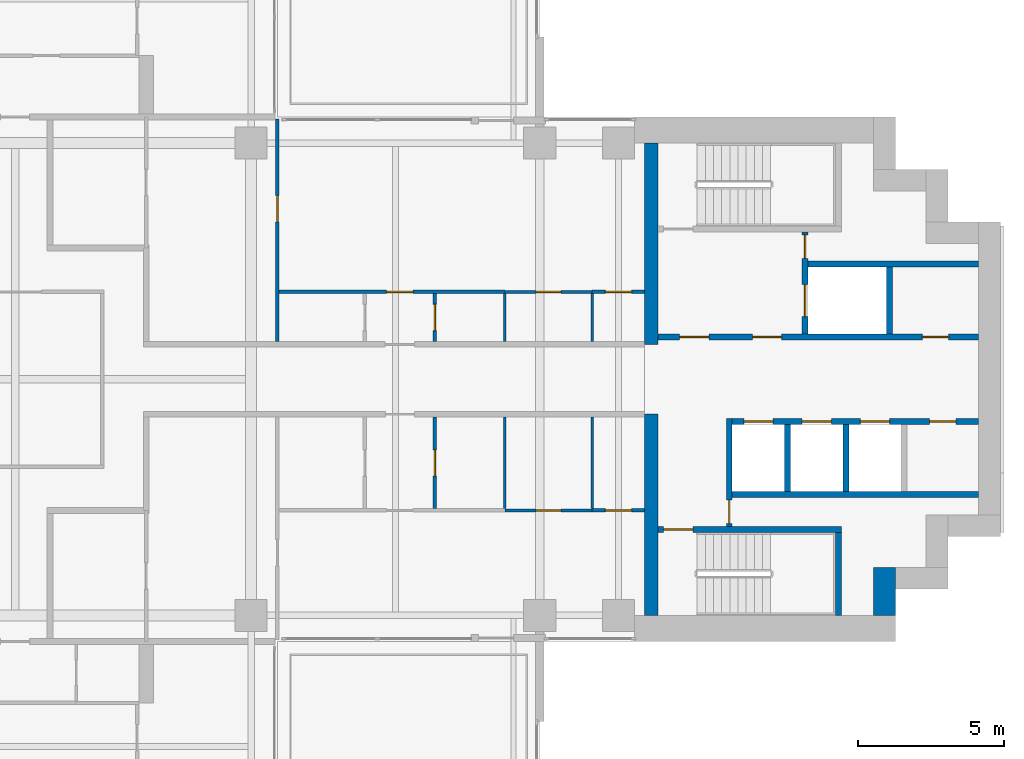
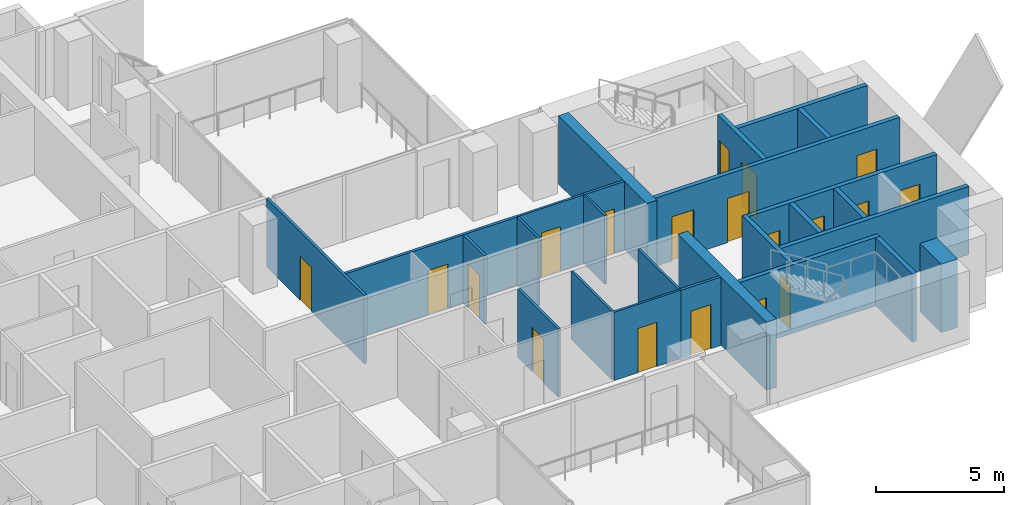
# One storey, part 12 of 18: 26 walls, 19 doors, 19 openings.
"""IFC4 building model written with IfcOpenShell, lengths in metres."""

from ifc_helpers import new_model, si_unit, direction, frame, frame_2d, origin, place, context, subcontext, project, spatial, rectangle, extrude, material, layer, layer_set, type_object, element, fill, save


model = new_model("IFC4")

# Units and contexts
model_context = context("Model", 3, precision=1e-05, world=origin(), true_north=direction((0.0, 1.0)))
body_context = subcontext(model_context, "Body", "Model", "MODEL_VIEW")
ifc_project = project(units=[si_unit("LENGTHUNIT", "METRE"), si_unit("AREAUNIT", "SQUARE_METRE"), si_unit("VOLUMEUNIT", "CUBIC_METRE"), si_unit("PLANEANGLEUNIT", "RADIAN"), si_unit("MASSUNIT", "GRAM", prefix="KILO")], contexts=[model_context])

# Site, building, storey
site_placement = place(None, origin())
site = spatial("IfcSite", under=ifc_project, at=site_placement, CompositionType="ELEMENT")
building_placement = place(site_placement, origin())
building = spatial("IfcBuilding", under=site, at=building_placement, Name="Perihelion Cross Residences", CompositionType="ELEMENT")
storey_placement = place(building_placement, frame((0.0, 0.0, 140.89990234375)))
storey = spatial("IfcBuildingStorey", under=building, at=storey_placement, Name="L34", CompositionType="ELEMENT", Elevation=140.89990234375)

# Walls
ifc_material_1 = material(Name="Concrete C60/75", Category="concrete")
ifc_layer_1 = layer(ifc_material_1, 0.449951171875)
ifc_layer_set_1 = layer_set([ifc_layer_1], Name="Core wall, inner 450")
wall_type_1 = type_object("IfcWallType", Name="Core wall, inner 450", PredefinedType="SHEAR", material=ifc_layer_set_1)
for number, where, z_axis, x_axis, name in (
    (1, (21.824951171875, -8.10009765625, 0.0), (0.0, 0.0, 1.0), (0.0, 1.0, 0.0), "East core core wall, inner"),
    (2, (21.824951171875, 1.199951171875, 0.0), (0.0, 0.0, 1.0), (0.0, 1.0, 0.0), "East core core wall, inner"),
):
    element("IfcWall", number, at=place(storey_placement, frame(where, z_axis=z_axis, x_axis=x_axis)), inside=storey, type_object=wall_type_1, Name=name, PredefinedType="SHEAR", context=body_context, shape_type="SweptSolid", body=[
        extrude(rectangle(XDim=6.900146484375, YDim=0.449951171875, at=frame_2d((3.4501953125, 0.0))), origin(), (0.0, 0.0, 1.0), 3.25),
    ])
ifc_material_2 = material(Name="Concrete C60/75", Category="concrete")
ifc_layer_2 = layer(ifc_material_2, 0.75)
ifc_layer_set_2 = layer_set([ifc_layer_2], Name="Core wall, outer 750")
wall_type_2 = type_object("IfcWallType", Name="Core wall, outer 750", PredefinedType="SHEAR", material=ifc_layer_set_2)
wall_1_placement = place(storey_placement, frame((29.824951171875, -8.10009765625, 0.0), z_axis=(0.0, 0.0, 1.0), x_axis=(0.0, 1.0, 0.0)))
element("IfcWall", 3, at=wall_1_placement, inside=storey, type_object=wall_type_2, Name="East core core wall, outer", PredefinedType="SHEAR", context=body_context, shape_type="SweptSolid", body=[
    extrude(rectangle(XDim=1.650146484375, YDim=0.75, at=frame_2d((0.8251953125, 0.0))), origin(), (0.0, 0.0, 1.0), 3.25),
])

# Wall, opening, door
ifc_material_3 = material(Name="Concrete C50/60", Category="concrete")
ifc_layer_3 = layer(ifc_material_3, 0.199951171875)
ifc_layer_set_3 = layer_set([ifc_layer_3], Name="Lobby wall 200")
wall_type_3 = type_object("IfcWallType", Name="Lobby wall 200", PredefinedType="SOLIDWALL", material=ifc_layer_set_3)
wall_2_placement = place(storey_placement, frame((24.5, -5.050048828125, 0.0), z_axis=(0.0, 0.0, 1.0), x_axis=(0.0, 1.0, 0.0)))
wall_2 = element("IfcWall", 4, at=wall_2_placement, inside=storey, type_object=wall_type_3, Name="East core lobby wall", PredefinedType="SOLIDWALL", context=body_context, shape_type="SweptSolid", body=[
    extrude(rectangle(XDim=3.699951171875, YDim=0.199951171875, at=frame_2d((1.85009765625, 0.0))), origin(), (0.0, 0.0, 1.0), 3.25),
])
opening_1_placement = place(wall_2_placement, frame((0.10009765625, 0.0, 0.0)))
opening_1 = element("IfcOpeningElement", 5, at=opening_1_placement, cuts=wall_2, Name="Opening L34.C08", PredefinedType="OPENING", context=body_context, shape_type="SweptSolid", body=[
    extrude(rectangle(XDim=0.800048828125, YDim=2.10009765625, at=frame_2d((0.39990234375, 1.050048828125))), frame((0.0, 0.10986328125, 0.0), z_axis=(0.0, -1.0, 0.0), x_axis=(1.0, 0.0, 0.0)), (0.0, 0.0, 1.0), 0.219970703125),
])
ifc_material_4 = material(Name="Steel, powder coated", Category="steel")
door_type_1 = type_object("IfcDoorType", Name="Riser door 800", OperationType="SINGLE_SWING_LEFT", PredefinedType="DOOR", material=ifc_material_4)
door_1_placement = place(opening_1_placement, origin())
door_1 = element("IfcDoor", 6, at=door_1_placement, inside=storey, type_object=door_type_1, Name="East core riser door", OperationType="SINGLE_SWING_LEFT", OverallHeight=2.10009765625, OverallWidth=0.800048828125, PredefinedType="DOOR", context=body_context, shape_type="SweptSolid", body=[
    extrude(rectangle(XDim=0.800048828125, YDim=2.10009765625, at=frame_2d((0.39990234375, 1.050048828125))), frame((0.0, 0.02490234375, 0.0), z_axis=(0.0, -1.0, 0.0), x_axis=(1.0, 0.0, 0.0)), (0.0, 0.0, 1.0), 0.050048828125),
])
fill(opening_1, door_1)

ifc_material_5 = material(Name="Plasterboard partition")
ifc_layer_4 = layer(ifc_material_5, 0.1201171875)
ifc_layer_set_4 = layer_set([ifc_layer_4], Name="Partition wall 120")
wall_type_4 = type_object("IfcWallType", Name="Partition wall 120", PredefinedType="PARTITIONING", material=ifc_layer_set_4)
wall_3_placement = place(storey_placement, frame((8.93994140625, 3.0, 0.0), z_axis=(0.0, 0.0, 1.0), x_axis=(1.0, 0.0, 0.0)))
wall_3 = element("IfcWall", 7, at=wall_3_placement, inside=storey, type_object=wall_type_4, Name="Partition L34 W024", PredefinedType="PARTITIONING", context=body_context, shape_type="SweptSolid", body=[
    extrude(rectangle(XDim=7.860107421875, YDim=0.1201171875, at=frame_2d((3.93017578125, 0.0))), origin(), (0.0, 0.0, 1.0), 3.25),
])
opening_2_placement = place(wall_3_placement, frame((3.81005859375, 0.0, 0.0)))
opening_2 = element("IfcOpeningElement", 8, at=opening_2_placement, cuts=wall_3, Name="Opening L34.A06", PredefinedType="OPENING", context=body_context, shape_type="SweptSolid", body=[
    extrude(rectangle(XDim=0.89990234375, YDim=2.10009765625, at=frame_2d((0.449951171875, 1.050048828125))), frame((0.0, 0.070068359375, 0.0), z_axis=(0.0, -1.0, 0.0), x_axis=(1.0, 0.0, 0.0)), (0.0, 0.0, 1.0), 0.14013671875),
])
ifc_material_6 = material(Name="Timber door leaf", Category="wood")
door_type_2 = type_object("IfcDoorType", Name="Interior room door 900 x 2100", OperationType="SINGLE_SWING_LEFT", PredefinedType="DOOR", material=ifc_material_6)
door_2_placement = place(opening_2_placement, origin())
door_2 = element("IfcDoor", 9, at=door_2_placement, inside=storey, type_object=door_type_2, Name="Door L34.A06", OperationType="SINGLE_SWING_LEFT", OverallHeight=2.10009765625, OverallWidth=0.89990234375, PredefinedType="DOOR", context=body_context, shape_type="SweptSolid", body=[
    extrude(rectangle(XDim=0.89990234375, YDim=2.10009765625, at=frame_2d((0.449951171875, 1.050048828125))), frame((0.0, 0.02490234375, 0.0), z_axis=(0.0, -1.0, 0.0), x_axis=(1.0, 0.0, 0.0)), (0.0, 0.0, 1.0), 0.050048828125),
])
fill(opening_2, door_2)

wall_4_placement = place(storey_placement, frame((9.0, 1.300048828125, 0.0), z_axis=(0.0, 0.0, 1.0), x_axis=(0.0, 1.0, 0.0)))
wall_4 = element("IfcWall", 10, at=wall_4_placement, inside=storey, type_object=wall_type_4, Name="Partition L34 W025", PredefinedType="PARTITIONING", context=body_context, shape_type="SweptSolid", body=[
    extrude(rectangle(XDim=7.619873046875, YDim=0.1201171875, at=frame_2d((3.81005859375, 0.0))), origin(), (0.0, 0.0, 1.0), 3.25),
])
opening_3_placement = place(wall_4_placement, frame((4.10009765625, 0.0, 0.0)))
opening_3 = element("IfcOpeningElement", 11, at=opening_3_placement, cuts=wall_4, Name="Opening L34.A07", PredefinedType="OPENING", context=body_context, shape_type="SweptSolid", body=[
    extrude(rectangle(XDim=0.89990234375, YDim=2.10009765625, at=frame_2d((0.449951171875, 1.050048828125))), frame((0.0, 0.070068359375, 0.0), z_axis=(0.0, -1.0, 0.0), x_axis=(1.0, 0.0, 0.0)), (0.0, 0.0, 1.0), 0.14013671875),
])
door_3_placement = place(opening_3_placement, origin())
door_3 = element("IfcDoor", 12, at=door_3_placement, inside=storey, type_object=door_type_2, Name="Door L34.A07", OperationType="SINGLE_SWING_LEFT", OverallHeight=2.10009765625, OverallWidth=0.89990234375, PredefinedType="DOOR", context=body_context, shape_type="SweptSolid", body=[
    extrude(rectangle(XDim=0.89990234375, YDim=2.10009765625, at=frame_2d((0.449951171875, 1.050048828125))), frame((0.0, 0.02490234375, 0.0), z_axis=(0.0, -1.0, 0.0), x_axis=(1.0, 0.0, 0.0)), (0.0, 0.0, 1.0), 0.050048828125),
])
fill(opening_3, door_3)

wall_5_placement = place(storey_placement, frame((14.39990234375, 2.93994140625, 0.0), z_axis=(0.0, 0.0, 1.0), x_axis=(0.0, -1.0, 0.0)))
wall_5 = element("IfcWall", 13, at=wall_5_placement, inside=storey, type_object=wall_type_4, Name="Partition L34 W026", PredefinedType="PARTITIONING", context=body_context, shape_type="SweptSolid", body=[
    extrude(rectangle(XDim=1.639892578125, YDim=0.1201171875, at=frame_2d((0.81982421875, 0.0))), origin(), (0.0, 0.0, 1.0), 3.25),
])
opening_4_placement = place(wall_5_placement, frame((0.3701171875, 0.0, 0.0)))
opening_4 = element("IfcOpeningElement", 14, at=opening_4_placement, cuts=wall_5, Name="Opening L34.A08", PredefinedType="OPENING", context=body_context, shape_type="SweptSolid", body=[
    extrude(rectangle(XDim=0.89990234375, YDim=2.10009765625, at=frame_2d((0.449951171875, 1.050048828125))), frame((0.0, 0.070068359375, 0.0), z_axis=(0.0, -1.0, 0.0), x_axis=(1.0, 0.0, 0.0)), (0.0, 0.0, 1.0), 0.14013671875),
])
door_4_placement = place(opening_4_placement, origin())
door_4 = element("IfcDoor", 15, at=door_4_placement, inside=storey, type_object=door_type_2, Name="Door L34.A08", OperationType="SINGLE_SWING_RIGHT", OverallHeight=2.10009765625, OverallWidth=0.89990234375, PredefinedType="DOOR", context=body_context, shape_type="SweptSolid", body=[
    extrude(rectangle(XDim=0.89990234375, YDim=2.10009765625, at=frame_2d((0.449951171875, 1.050048828125))), frame((0.0, 0.02490234375, 0.0), z_axis=(0.0, -1.0, 0.0), x_axis=(1.0, 0.0, 0.0)), (0.0, 0.0, 1.0), 0.050048828125),
])
fill(opening_4, door_4)

wall_6_placement = place(storey_placement, frame((19.800048828125, 3.0, 0.0), z_axis=(0.0, 0.0, 1.0), x_axis=(1.0, 0.0, 0.0)))
wall_6 = element("IfcWall", 16, at=wall_6_placement, inside=storey, type_object=wall_type_4, Name="Partition L34 W030", PredefinedType="PARTITIONING", context=body_context, shape_type="SweptSolid", body=[
    extrude(rectangle(XDim=1.800048828125, YDim=0.1201171875, at=frame_2d((0.89990234375, 0.0))), origin(), (0.0, 0.0, 1.0), 3.25),
])
opening_5_placement = place(wall_6_placement, frame((0.449951171875, 0.0, 0.0)))
opening_5 = element("IfcOpeningElement", 17, at=opening_5_placement, cuts=wall_6, Name="Opening L34.A05", PredefinedType="OPENING", context=body_context, shape_type="SweptSolid", body=[
    extrude(rectangle(XDim=0.89990234375, YDim=2.10009765625, at=frame_2d((0.449951171875, 1.050048828125))), frame((0.0, 0.070068359375, 0.0), z_axis=(0.0, -1.0, 0.0), x_axis=(1.0, 0.0, 0.0)), (0.0, 0.0, 1.0), 0.14013671875),
])
door_5_placement = place(opening_5_placement, origin())
door_5 = element("IfcDoor", 18, at=door_5_placement, inside=storey, type_object=door_type_2, Name="Door L34.A05", OperationType="SINGLE_SWING_RIGHT", OverallHeight=2.10009765625, OverallWidth=0.89990234375, PredefinedType="DOOR", context=body_context, shape_type="SweptSolid", body=[
    extrude(rectangle(XDim=0.89990234375, YDim=2.10009765625, at=frame_2d((0.449951171875, 1.050048828125))), frame((0.0, 0.02490234375, 0.0), z_axis=(0.0, -1.0, 0.0), x_axis=(1.0, 0.0, 0.0)), (0.0, 0.0, 1.0), 0.050048828125),
])
fill(opening_5, door_5)

wall_7_placement = place(storey_placement, frame((14.39990234375, -1.300048828125, 0.0), z_axis=(0.0, 0.0, 1.0), x_axis=(0.0, -1.0, 0.0)))
wall_7 = element("IfcWall", 19, at=wall_7_placement, inside=storey, type_object=wall_type_4, Name="Partition L34 W035", PredefinedType="PARTITIONING", context=body_context, shape_type="SweptSolid", body=[
    extrude(rectangle(XDim=3.139892578125, YDim=0.1201171875, at=frame_2d((1.56982421875, 0.0))), origin(), (0.0, 0.0, 1.0), 3.25),
])
opening_6_placement = place(wall_7_placement, frame((1.1201171875, 0.0, 0.0)))
opening_6 = element("IfcOpeningElement", 20, at=opening_6_placement, cuts=wall_7, Name="Opening L34.A15", PredefinedType="OPENING", context=body_context, shape_type="SweptSolid", body=[
    extrude(rectangle(XDim=0.89990234375, YDim=2.10009765625, at=frame_2d((0.449951171875, 1.050048828125))), frame((0.0, 0.070068359375, 0.0), z_axis=(0.0, -1.0, 0.0), x_axis=(1.0, 0.0, 0.0)), (0.0, 0.0, 1.0), 0.14013671875),
])
door_6_placement = place(opening_6_placement, origin())
door_6 = element("IfcDoor", 21, at=door_6_placement, inside=storey, type_object=door_type_2, Name="Door L34.A15", OperationType="SINGLE_SWING_LEFT", OverallHeight=2.10009765625, OverallWidth=0.89990234375, PredefinedType="DOOR", context=body_context, shape_type="SweptSolid", body=[
    extrude(rectangle(XDim=0.89990234375, YDim=2.10009765625, at=frame_2d((0.449951171875, 1.050048828125))), frame((0.0, 0.02490234375, 0.0), z_axis=(0.0, -1.0, 0.0), x_axis=(1.0, 0.0, 0.0)), (0.0, 0.0, 1.0), 0.050048828125),
])
fill(opening_6, door_6)

wall_8_placement = place(storey_placement, frame((21.60009765625, -4.5, 0.0), z_axis=(0.0, 0.0, 1.0), x_axis=(-1.0, 0.0, 0.0)))
wall_8 = element("IfcWall", 22, at=wall_8_placement, inside=storey, type_object=wall_type_4, Name="Partition L34 W039", PredefinedType="PARTITIONING", context=body_context, shape_type="SweptSolid", body=[
    extrude(rectangle(XDim=1.800048828125, YDim=0.1201171875, at=frame_2d((0.89990234375, 0.0))), origin(), (0.0, 0.0, 1.0), 3.25),
])
opening_7_placement = place(wall_8_placement, frame((0.449951171875, 0.0, 0.0)))
opening_7 = element("IfcOpeningElement", 23, at=opening_7_placement, cuts=wall_8, Name="Opening L34.A12", PredefinedType="OPENING", context=body_context, shape_type="SweptSolid", body=[
    extrude(rectangle(XDim=0.89990234375, YDim=2.10009765625, at=frame_2d((0.449951171875, 1.050048828125))), frame((0.0, 0.070068359375, 0.0), z_axis=(0.0, -1.0, 0.0), x_axis=(1.0, 0.0, 0.0)), (0.0, 0.0, 1.0), 0.14013671875),
])
door_7_placement = place(opening_7_placement, origin())
door_7 = element("IfcDoor", 24, at=door_7_placement, inside=storey, type_object=door_type_2, Name="Door L34.A12", OperationType="SINGLE_SWING_RIGHT", OverallHeight=2.10009765625, OverallWidth=0.89990234375, PredefinedType="DOOR", context=body_context, shape_type="SweptSolid", body=[
    extrude(rectangle(XDim=0.89990234375, YDim=2.10009765625, at=frame_2d((0.449951171875, 1.050048828125))), frame((0.0, 0.02490234375, 0.0), z_axis=(0.0, -1.0, 0.0), x_axis=(1.0, 0.0, 0.0)), (0.0, 0.0, 1.0), 0.050048828125),
])
fill(opening_7, door_7)

# Wall, openings, doors
ifc_material_7 = material(Name="Concrete C50/60", Category="concrete")
ifc_layer_5 = layer(ifc_material_7, 0.199951171875)
ifc_layer_set_5 = layer_set([ifc_layer_5], Name="Shaft wall 200")
wall_type_5 = type_object("IfcWallType", Name="Shaft wall 200", PredefinedType="SOLIDWALL", material=ifc_layer_set_5)
wall_9_placement = place(storey_placement, frame((22.050048828125, 1.449951171875, 0.0), z_axis=(0.0, 0.0, 1.0), x_axis=(1.0, 0.0, 0.0)))
wall_9 = element("IfcWall", 25, at=wall_9_placement, inside=storey, type_object=wall_type_5, Name="East core shaft wall", PredefinedType="SOLIDWALL", context=body_context, shape_type="SweptSolid", body=[
    extrude(rectangle(XDim=11.0, YDim=0.199951171875, at=frame_2d((5.5, 0.0))), origin(), (0.0, 0.0, 1.0), 3.25),
])
opening_8_placement = place(wall_9_placement, frame((0.75, 0.0, 0.0)))
opening_8 = element("IfcOpeningElement", 26, at=opening_8_placement, cuts=wall_9, Name="Opening L34.C07", PredefinedType="OPENING", context=body_context, shape_type="SweptSolid", body=[
    extrude(rectangle(XDim=1.0, YDim=2.10009765625, at=frame_2d((0.5, 1.050048828125))), frame((0.0, 0.10986328125, 0.0), z_axis=(0.0, -1.0, 0.0), x_axis=(1.0, 0.0, 0.0)), (0.0, 0.0, 1.0), 0.219970703125),
])
opening_9_placement = place(wall_9_placement, frame((3.25, 0.0, 0.0)))
opening_9 = element("IfcOpeningElement", 27, at=opening_9_placement, cuts=wall_9, Name="Opening L34.C09", PredefinedType="OPENING", context=body_context, shape_type="SweptSolid", body=[
    extrude(rectangle(XDim=1.0, YDim=2.10009765625, at=frame_2d((0.5, 1.050048828125))), frame((0.0, 0.10986328125, 0.0), z_axis=(0.0, -1.0, 0.0), x_axis=(1.0, 0.0, 0.0)), (0.0, 0.0, 1.0), 0.219970703125),
])
opening_10_placement = place(wall_9_placement, frame((9.074951171875, 0.0, 0.0)))
opening_10 = element("IfcOpeningElement", 28, at=opening_10_placement, cuts=wall_9, Name="Opening L34.C11", PredefinedType="OPENING", context=body_context, shape_type="SweptSolid", body=[
    extrude(rectangle(XDim=0.89990234375, YDim=2.10009765625, at=frame_2d((0.449951171875, 1.050048828125))), frame((0.0, 0.10986328125, 0.0), z_axis=(0.0, -1.0, 0.0), x_axis=(1.0, 0.0, 0.0)), (0.0, 0.0, 1.0), 0.219970703125),
])
ifc_material_8 = material(Name="Steel, powder coated", Category="steel")
door_type_3 = type_object("IfcDoorType", Name="Lobby door 1000", OperationType="SINGLE_SWING_LEFT", PredefinedType="DOOR", material=ifc_material_8)
door_8_placement = place(opening_8_placement, origin())
door_8 = element("IfcDoor", 29, at=door_8_placement, inside=storey, type_object=door_type_3, Name="East core firefighting lobby door", OperationType="SINGLE_SWING_LEFT", OverallHeight=2.10009765625, OverallWidth=1.0, PredefinedType="DOOR", context=body_context, shape_type="SweptSolid", body=[
    extrude(rectangle(XDim=1.0, YDim=2.10009765625, at=frame_2d((0.5, 1.050048828125))), frame((0.0, 0.02490234375, 0.0), z_axis=(0.0, -1.0, 0.0), x_axis=(1.0, 0.0, 0.0)), (0.0, 0.0, 1.0), 0.050048828125),
])
fill(opening_8, door_8)
door_9_placement = place(opening_9_placement, origin())
door_9 = element("IfcDoor", 30, at=door_9_placement, inside=storey, type_object=door_type_3, Name="East core firefighting lobby door", OperationType="SINGLE_SWING_LEFT", OverallHeight=2.10009765625, OverallWidth=1.0, PredefinedType="DOOR", context=body_context, shape_type="SweptSolid", body=[
    extrude(rectangle(XDim=1.0, YDim=2.10009765625, at=frame_2d((0.5, 1.050048828125))), frame((0.0, 0.02490234375, 0.0), z_axis=(0.0, -1.0, 0.0), x_axis=(1.0, 0.0, 0.0)), (0.0, 0.0, 1.0), 0.050048828125),
])
fill(opening_9, door_9)
ifc_material_9 = material(Name="Steel, powder coated", Category="steel")
door_type_4 = type_object("IfcDoorType", Name="Service room door 900", OperationType="SINGLE_SWING_LEFT", PredefinedType="DOOR", material=ifc_material_9)
door_10_placement = place(opening_10_placement, origin())
door_10 = element("IfcDoor", 31, at=door_10_placement, inside=storey, type_object=door_type_4, Name="East core service room door", OperationType="SINGLE_SWING_LEFT", OverallHeight=2.10009765625, OverallWidth=0.89990234375, PredefinedType="DOOR", context=body_context, shape_type="SweptSolid", body=[
    extrude(rectangle(XDim=0.89990234375, YDim=2.10009765625, at=frame_2d((0.449951171875, 1.050048828125))), frame((0.0, 0.02490234375, 0.0), z_axis=(0.0, -1.0, 0.0), x_axis=(1.0, 0.0, 0.0)), (0.0, 0.0, 1.0), 0.050048828125),
])
fill(opening_10, door_10)

wall_10_placement = place(storey_placement, frame((24.60009765625, -1.449951171875, 0.0), z_axis=(0.0, 0.0, 1.0), x_axis=(1.0, 0.0, 0.0)))
wall_10 = element("IfcWall", 32, at=wall_10_placement, inside=storey, type_object=wall_type_5, Name="East core shaft wall", PredefinedType="SOLIDWALL", context=body_context, shape_type="SweptSolid", body=[
    extrude(rectangle(XDim=8.449951171875, YDim=0.199951171875, at=frame_2d((4.22509765625, 0.0))), origin(), (0.0, 0.0, 1.0), 3.25),
])
opening_11_placement = place(wall_10_placement, frame((0.39990234375, 0.0, 0.0)))
opening_11 = element("IfcOpeningElement", 33, at=opening_11_placement, cuts=wall_10, Name="Opening L34.C01", PredefinedType="OPENING", context=body_context, shape_type="SweptSolid", body=[
    extrude(rectangle(XDim=1.0, YDim=2.10009765625, at=frame_2d((0.5, 1.050048828125))), frame((0.0, 0.10986328125, 0.0), z_axis=(0.0, -1.0, 0.0), x_axis=(1.0, 0.0, 0.0)), (0.0, 0.0, 1.0), 0.219970703125),
])
opening_12_placement = place(wall_10_placement, frame((2.39990234375, 0.0, 0.0)))
opening_12 = element("IfcOpeningElement", 34, at=opening_12_placement, cuts=wall_10, Name="Opening L34.C03", PredefinedType="OPENING", context=body_context, shape_type="SweptSolid", body=[
    extrude(rectangle(XDim=1.0, YDim=2.10009765625, at=frame_2d((0.5, 1.050048828125))), frame((0.0, 0.10986328125, 0.0), z_axis=(0.0, -1.0, 0.0), x_axis=(1.0, 0.0, 0.0)), (0.0, 0.0, 1.0), 0.219970703125),
])
opening_13_placement = place(wall_10_placement, frame((4.39990234375, 0.0, 0.0)))
opening_13 = element("IfcOpeningElement", 35, at=opening_13_placement, cuts=wall_10, Name="Opening L34.C04", PredefinedType="OPENING", context=body_context, shape_type="SweptSolid", body=[
    extrude(rectangle(XDim=1.0, YDim=2.10009765625, at=frame_2d((0.5, 1.050048828125))), frame((0.0, 0.10986328125, 0.0), z_axis=(0.0, -1.0, 0.0), x_axis=(1.0, 0.0, 0.0)), (0.0, 0.0, 1.0), 0.219970703125),
])
opening_14_placement = place(wall_10_placement, frame((6.77490234375, 0.0, 0.0)))
opening_14 = element("IfcOpeningElement", 36, at=opening_14_placement, cuts=wall_10, Name="Opening L34.C12", PredefinedType="OPENING", context=body_context, shape_type="SweptSolid", body=[
    extrude(rectangle(XDim=0.89990234375, YDim=2.10009765625, at=frame_2d((0.449951171875, 1.050048828125))), frame((0.0, 0.10986328125, 0.0), z_axis=(0.0, -1.0, 0.0), x_axis=(1.0, 0.0, 0.0)), (0.0, 0.0, 1.0), 0.219970703125),
])
ifc_material_10 = material(Name="Stainless steel", Category="steel")
door_type_5 = type_object("IfcDoorType", Name="Landing door 1000", OperationType="DOUBLE_DOOR_SLIDING", PredefinedType="DOOR", material=ifc_material_10)
door_11_placement = place(opening_11_placement, origin())
door_11 = element("IfcDoor", 37, at=door_11_placement, inside=storey, type_object=door_type_5, Name="Landing door, East core high-rise lift 1", OperationType="DOUBLE_DOOR_SLIDING", OverallHeight=2.10009765625, OverallWidth=1.0, PredefinedType="DOOR", context=body_context, shape_type="SweptSolid", body=[
    extrude(rectangle(XDim=1.0, YDim=2.10009765625, at=frame_2d((0.5, 1.050048828125))), frame((0.0, 0.02490234375, 0.0), z_axis=(0.0, -1.0, 0.0), x_axis=(1.0, 0.0, 0.0)), (0.0, 0.0, 1.0), 0.050048828125),
])
fill(opening_11, door_11)
door_12_placement = place(opening_12_placement, origin())
door_12 = element("IfcDoor", 38, at=door_12_placement, inside=storey, type_object=door_type_5, Name="Landing door, East core high-rise lift 2", OperationType="DOUBLE_DOOR_SLIDING", OverallHeight=2.10009765625, OverallWidth=1.0, PredefinedType="DOOR", context=body_context, shape_type="SweptSolid", body=[
    extrude(rectangle(XDim=1.0, YDim=2.10009765625, at=frame_2d((0.5, 1.050048828125))), frame((0.0, 0.02490234375, 0.0), z_axis=(0.0, -1.0, 0.0), x_axis=(1.0, 0.0, 0.0)), (0.0, 0.0, 1.0), 0.050048828125),
])
fill(opening_12, door_12)
door_13_placement = place(opening_13_placement, origin())
door_13 = element("IfcDoor", 39, at=door_13_placement, inside=storey, type_object=door_type_5, Name="Landing door, East core high-rise lift 3", OperationType="DOUBLE_DOOR_SLIDING", OverallHeight=2.10009765625, OverallWidth=1.0, PredefinedType="DOOR", context=body_context, shape_type="SweptSolid", body=[
    extrude(rectangle(XDim=1.0, YDim=2.10009765625, at=frame_2d((0.5, 1.050048828125))), frame((0.0, 0.02490234375, 0.0), z_axis=(0.0, -1.0, 0.0), x_axis=(1.0, 0.0, 0.0)), (0.0, 0.0, 1.0), 0.050048828125),
])
fill(opening_13, door_13)
door_14_placement = place(opening_14_placement, origin())
door_14 = element("IfcDoor", 40, at=door_14_placement, inside=storey, type_object=door_type_4, Name="East core service room door", OperationType="SINGLE_SWING_LEFT", OverallHeight=2.10009765625, OverallWidth=0.89990234375, PredefinedType="DOOR", context=body_context, shape_type="SweptSolid", body=[
    extrude(rectangle(XDim=0.89990234375, YDim=2.10009765625, at=frame_2d((0.449951171875, 1.050048828125))), frame((0.0, 0.02490234375, 0.0), z_axis=(0.0, -1.0, 0.0), x_axis=(1.0, 0.0, 0.0)), (0.0, 0.0, 1.0), 0.050048828125),
])
fill(opening_14, door_14)

# Walls
wall_11_placement = place(storey_placement, frame((27.199951171875, 3.949951171875, 0.0), z_axis=(0.0, 0.0, 1.0), x_axis=(1.0, 0.0, 0.0)))
element("IfcWall", 41, at=wall_11_placement, inside=storey, type_object=wall_type_5, Name="East core shaft wall", PredefinedType="SOLIDWALL", context=body_context, shape_type="SweptSolid", body=[
    extrude(rectangle(XDim=5.85009765625, YDim=0.199951171875, at=frame_2d((2.925048828125, 0.0))), origin(), (0.0, 0.0, 1.0), 3.25),
])
wall_12_placement = place(storey_placement, frame((24.60009765625, -3.949951171875, 0.0), z_axis=(0.0, 0.0, 1.0), x_axis=(1.0, 0.0, 0.0)))
element("IfcWall", 42, at=wall_12_placement, inside=storey, type_object=wall_type_5, Name="East core shaft wall", PredefinedType="SOLIDWALL", context=body_context, shape_type="SweptSolid", body=[
    extrude(rectangle(XDim=8.449951171875, YDim=0.199951171875, at=frame_2d((4.22509765625, 0.0))), origin(), (0.0, 0.0, 1.0), 3.25),
])

# Wall, openings, doors
wall_13_placement = place(storey_placement, frame((27.10009765625, 1.550048828125, 0.0), z_axis=(0.0, 0.0, 1.0), x_axis=(0.0, 1.0, 0.0)))
wall_13 = element("IfcWall", 43, at=wall_13_placement, inside=storey, type_object=wall_type_5, Name="East core shaft wall", PredefinedType="SOLIDWALL", context=body_context, shape_type="SweptSolid", body=[
    extrude(rectangle(XDim=3.5, YDim=0.199951171875, at=frame_2d((1.75, 0.0))), origin(), (0.0, 0.0, 1.0), 3.25),
])
opening_15_placement = place(wall_13_placement, frame((0.60009765625, 0.0, 0.0)))
opening_15 = element("IfcOpeningElement", 44, at=opening_15_placement, cuts=wall_13, Name="Opening L34.C02", PredefinedType="OPENING", context=body_context, shape_type="SweptSolid", body=[
    extrude(rectangle(XDim=1.10009765625, YDim=2.10009765625, at=frame_2d((0.550048828125, 1.050048828125))), frame((0.0, 0.10986328125, 0.0), z_axis=(0.0, -1.0, 0.0), x_axis=(1.0, 0.0, 0.0)), (0.0, 0.0, 1.0), 0.219970703125),
])
opening_16_placement = place(wall_13_placement, frame((2.60009765625, 0.0, 0.0)))
opening_16 = element("IfcOpeningElement", 45, at=opening_16_placement, cuts=wall_13, Name="Opening L34.C10", PredefinedType="OPENING", context=body_context, shape_type="SweptSolid", body=[
    extrude(rectangle(XDim=0.800048828125, YDim=2.10009765625, at=frame_2d((0.39990234375, 1.050048828125))), frame((0.0, 0.10986328125, 0.0), z_axis=(0.0, -1.0, 0.0), x_axis=(1.0, 0.0, 0.0)), (0.0, 0.0, 1.0), 0.219970703125),
])
ifc_material_11 = material(Name="Stainless steel", Category="steel")
door_type_6 = type_object("IfcDoorType", Name="Landing door, firefighting lift 1100", OperationType="DOUBLE_DOOR_SLIDING", PredefinedType="DOOR", material=ifc_material_11)
door_15_placement = place(opening_15_placement, origin())
door_15 = element("IfcDoor", 46, at=door_15_placement, inside=storey, type_object=door_type_6, Name="Landing door, East core firefighting and service lift", OperationType="DOUBLE_DOOR_SLIDING", OverallHeight=2.10009765625, OverallWidth=1.10009765625, PredefinedType="DOOR", context=body_context, shape_type="SweptSolid", body=[
    extrude(rectangle(XDim=1.10009765625, YDim=2.10009765625, at=frame_2d((0.550048828125, 1.050048828125))), frame((0.0, 0.02490234375, 0.0), z_axis=(0.0, -1.0, 0.0), x_axis=(1.0, 0.0, 0.0)), (0.0, 0.0, 1.0), 0.050048828125),
])
fill(opening_15, door_15)
door_16_placement = place(opening_16_placement, origin())
door_16 = element("IfcDoor", 47, at=door_16_placement, inside=storey, type_object=door_type_1, Name="East core riser door", OperationType="SINGLE_SWING_LEFT", OverallHeight=2.10009765625, OverallWidth=0.800048828125, PredefinedType="DOOR", context=body_context, shape_type="SweptSolid", body=[
    extrude(rectangle(XDim=0.800048828125, YDim=2.10009765625, at=frame_2d((0.39990234375, 1.050048828125))), frame((0.0, 0.02490234375, 0.0), z_axis=(0.0, -1.0, 0.0), x_axis=(1.0, 0.0, 0.0)), (0.0, 0.0, 1.0), 0.050048828125),
])
fill(opening_16, door_16)

# Walls
for number, where, z_axis, x_axis, name in (
    (48, (30.0, 1.550048828125, 0.0), (0.0, 0.0, 1.0), (0.0, 1.0, 0.0), "East core shaft wall"),
    (49, (26.5, -3.85009765625, 0.0), (0.0, 0.0, 1.0), (0.0, 1.0, 0.0), "East core shaft wall"),
    (50, (28.5, -3.85009765625, 0.0), (0.0, 0.0, 1.0), (0.0, 1.0, 0.0), "East core shaft wall"),
):
    element("IfcWall", number, at=place(storey_placement, frame(where, z_axis=z_axis, x_axis=x_axis)), inside=storey, type_object=wall_type_5, Name=name, PredefinedType="SOLIDWALL", context=body_context, shape_type="SweptSolid", body=[
        extrude(rectangle(XDim=2.300048828125, YDim=0.199951171875, at=frame_2d((1.14990234375, 0.0))), origin(), (0.0, 0.0, 1.0), 3.25),
    ])

# Wall, opening, door
ifc_material_12 = material(Name="Concrete C50/60", Category="concrete")
ifc_layer_6 = layer(ifc_material_12, 0.199951171875)
ifc_layer_set_6 = layer_set([ifc_layer_6], Name="Stair wall 200")
wall_type_6 = type_object("IfcWallType", Name="Stair wall 200", PredefinedType="SOLIDWALL", material=ifc_layer_set_6)
wall_14_placement = place(storey_placement, frame((22.050048828125, -5.14990234375, 0.0), z_axis=(0.0, 0.0, 1.0), x_axis=(1.0, 0.0, 0.0)))
wall_14 = element("IfcWall", 51, at=wall_14_placement, inside=storey, type_object=wall_type_6, Name="East core stair wall", PredefinedType="SOLIDWALL", context=body_context, shape_type="SweptSolid", body=[
    extrude(rectangle(XDim=6.300048828125, YDim=0.199951171875, at=frame_2d((3.14990234375, 0.0))), origin(), (0.0, 0.0, 1.0), 3.25),
])
opening_17_placement = place(wall_14_placement, frame((0.199951171875, 0.0, 0.0)))
opening_17 = element("IfcOpeningElement", 52, at=opening_17_placement, cuts=wall_14, Name="Opening L34.C05", PredefinedType="OPENING", context=body_context, shape_type="SweptSolid", body=[
    extrude(rectangle(XDim=1.0, YDim=2.10009765625, at=frame_2d((0.5, 1.050048828125))), frame((0.0, 0.10986328125, 0.0), z_axis=(0.0, -1.0, 0.0), x_axis=(1.0, 0.0, 0.0)), (0.0, 0.0, 1.0), 0.219970703125),
])
ifc_material_13 = material(Name="Steel, powder coated", Category="steel")
door_type_7 = type_object("IfcDoorType", Name="Stair door 1000", OperationType="SINGLE_SWING_LEFT", PredefinedType="DOOR", material=ifc_material_13)
door_17_placement = place(opening_17_placement, origin())
door_17 = element("IfcDoor", 53, at=door_17_placement, inside=storey, type_object=door_type_7, Name="East core stair door", OperationType="SINGLE_SWING_LEFT", OverallHeight=2.10009765625, OverallWidth=1.0, PredefinedType="DOOR", context=body_context, shape_type="SweptSolid", body=[
    extrude(rectangle(XDim=1.0, YDim=2.10009765625, at=frame_2d((0.5, 1.050048828125))), frame((0.0, 0.02490234375, 0.0), z_axis=(0.0, -1.0, 0.0), x_axis=(1.0, 0.0, 0.0)), (0.0, 0.0, 1.0), 0.050048828125),
])
fill(opening_17, door_17)

# Walls
wall_15_placement = place(storey_placement, frame((28.25, -8.10009765625, 0.0), z_axis=(0.0, 0.0, 1.0), x_axis=(0.0, 1.0, 0.0)))
element("IfcWall", 54, at=wall_15_placement, inside=storey, type_object=wall_type_6, Name="East core stair wall", PredefinedType="SOLIDWALL", context=body_context, shape_type="SweptSolid", body=[
    extrude(rectangle(XDim=2.85009765625, YDim=0.199951171875, at=frame_2d((1.425048828125, 0.0))), origin(), (0.0, 0.0, 1.0), 3.25),
])
ifc_material_14 = material(Name="Plasterboard partition")
ifc_layer_7 = layer(ifc_material_14, 0.10009765625)
ifc_layer_set_7 = layer_set([ifc_layer_7], Name="Wet room wall 100")
wall_type_7 = type_object("IfcWallType", Name="Wet room wall 100", PredefinedType="PARTITIONING", material=ifc_layer_set_7)
for number, where, z_axis, x_axis, name in (
    (55, (16.800048828125, 2.93994140625, 0.0), (0.0, 0.0, 1.0), (0.0, -1.0, 0.0), "Partition L34 W027"),
    (56, (19.800048828125, 2.93994140625, 0.0), (0.0, 0.0, 1.0), (0.0, -1.0, 0.0), "Partition L34 W028"),
):
    element("IfcWall", number, at=place(storey_placement, frame(where, z_axis=z_axis, x_axis=x_axis)), inside=storey, type_object=wall_type_7, Name=name, PredefinedType="PARTITIONING", context=body_context, shape_type="SweptSolid", body=[
        extrude(rectangle(XDim=1.639892578125, YDim=0.10009765625, at=frame_2d((0.81982421875, 0.0))), origin(), (0.0, 0.0, 1.0), 3.25),
    ])

# Wall, opening, door
wall_16_placement = place(storey_placement, frame((16.800048828125, 3.0, 0.0), z_axis=(0.0, 0.0, 1.0), x_axis=(1.0, 0.0, 0.0)))
wall_16 = element("IfcWall", 57, at=wall_16_placement, inside=storey, type_object=wall_type_7, Name="Partition L34 W029", PredefinedType="PARTITIONING", context=body_context, shape_type="SweptSolid", body=[
    extrude(rectangle(XDim=3.0, YDim=0.10009765625, at=frame_2d((1.5, 0.0))), origin(), (0.0, 0.0, 1.0), 3.25),
])
opening_18_placement = place(wall_16_placement, frame((1.074951171875, 0.0, 0.0)))
opening_18 = element("IfcOpeningElement", 58, at=opening_18_placement, cuts=wall_16, Name="Opening L34.A02", PredefinedType="OPENING", context=body_context, shape_type="SweptSolid", body=[
    extrude(rectangle(XDim=0.85009765625, YDim=2.10009765625, at=frame_2d((0.425048828125, 1.050048828125))), frame((0.0, 0.06005859375, 0.0), z_axis=(0.0, -1.0, 0.0), x_axis=(1.0, 0.0, 0.0)), (0.0, 0.0, 1.0), 0.1201171875),
])
ifc_material_15 = material(Name="Timber door leaf", Category="wood")
door_type_8 = type_object("IfcDoorType", Name="Interior bathroom door 850 x 2100", OperationType="SINGLE_SWING_LEFT", PredefinedType="DOOR", material=ifc_material_15)
door_18_placement = place(opening_18_placement, origin())
door_18 = element("IfcDoor", 59, at=door_18_placement, inside=storey, type_object=door_type_8, Name="Door L34.A02", OperationType="SINGLE_SWING_LEFT", OverallHeight=2.10009765625, OverallWidth=0.85009765625, PredefinedType="DOOR", context=body_context, shape_type="SweptSolid", body=[
    extrude(rectangle(XDim=0.85009765625, YDim=2.10009765625, at=frame_2d((0.425048828125, 1.050048828125))), frame((0.0, 0.02490234375, 0.0), z_axis=(0.0, -1.0, 0.0), x_axis=(1.0, 0.0, 0.0)), (0.0, 0.0, 1.0), 0.050048828125),
])
fill(opening_18, door_18)

# Walls
for number, where, z_axis, x_axis, name in (
    (60, (16.800048828125, -1.300048828125, 0.0), (0.0, 0.0, 1.0), (0.0, -1.0, 0.0), "Partition L34 W036"),
    (61, (19.800048828125, -1.300048828125, 0.0), (0.0, 0.0, 1.0), (0.0, -1.0, 0.0), "Partition L34 W037"),
):
    element("IfcWall", number, at=place(storey_placement, frame(where, z_axis=z_axis, x_axis=x_axis)), inside=storey, type_object=wall_type_7, Name=name, PredefinedType="PARTITIONING", context=body_context, shape_type="SweptSolid", body=[
        extrude(rectangle(XDim=3.139892578125, YDim=0.10009765625, at=frame_2d((1.56982421875, 0.0))), origin(), (0.0, 0.0, 1.0), 3.25),
    ])

# Wall, opening, door
wall_17_placement = place(storey_placement, frame((19.800048828125, -4.5, 0.0), z_axis=(0.0, 0.0, 1.0), x_axis=(-1.0, 0.0, 0.0)))
wall_17 = element("IfcWall", 62, at=wall_17_placement, inside=storey, type_object=wall_type_7, Name="Partition L34 W038", PredefinedType="PARTITIONING", context=body_context, shape_type="SweptSolid", body=[
    extrude(rectangle(XDim=3.0, YDim=0.10009765625, at=frame_2d((1.5, 0.0))), origin(), (0.0, 0.0, 1.0), 3.25),
])
opening_19_placement = place(wall_17_placement, frame((1.074951171875, 0.0, 0.0)))
opening_19 = element("IfcOpeningElement", 63, at=opening_19_placement, cuts=wall_17, Name="Opening L34.A09", PredefinedType="OPENING", context=body_context, shape_type="SweptSolid", body=[
    extrude(rectangle(XDim=0.85009765625, YDim=2.10009765625, at=frame_2d((0.425048828125, 1.050048828125))), frame((0.0, 0.06005859375, 0.0), z_axis=(0.0, -1.0, 0.0), x_axis=(1.0, 0.0, 0.0)), (0.0, 0.0, 1.0), 0.1201171875),
])
door_19_placement = place(opening_19_placement, origin())
door_19 = element("IfcDoor", 64, at=door_19_placement, inside=storey, type_object=door_type_8, Name="Door L34.A09", OperationType="SINGLE_SWING_LEFT", OverallHeight=2.10009765625, OverallWidth=0.85009765625, PredefinedType="DOOR", context=body_context, shape_type="SweptSolid", body=[
    extrude(rectangle(XDim=0.85009765625, YDim=2.10009765625, at=frame_2d((0.425048828125, 1.050048828125))), frame((0.0, 0.02490234375, 0.0), z_axis=(0.0, -1.0, 0.0), x_axis=(1.0, 0.0, 0.0)), (0.0, 0.0, 1.0), 0.050048828125),
])
fill(opening_19, door_19)

save(model, "model.ifc")
